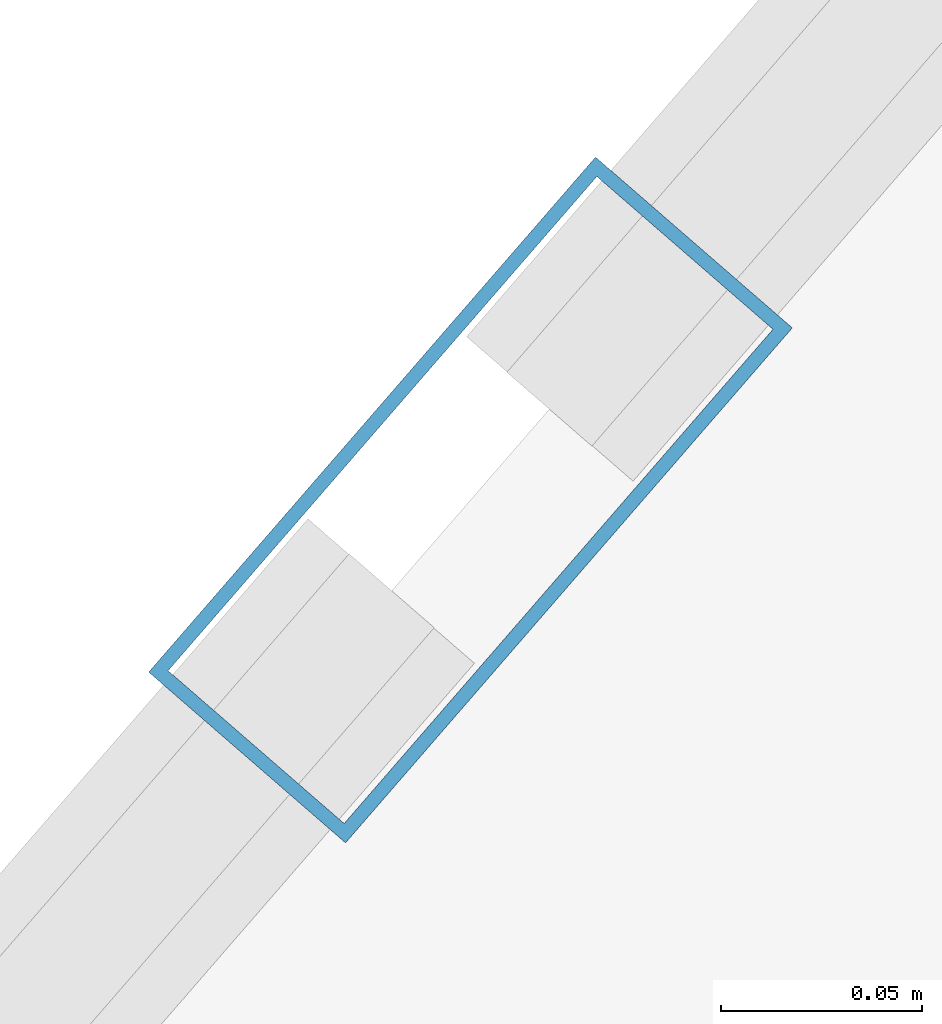
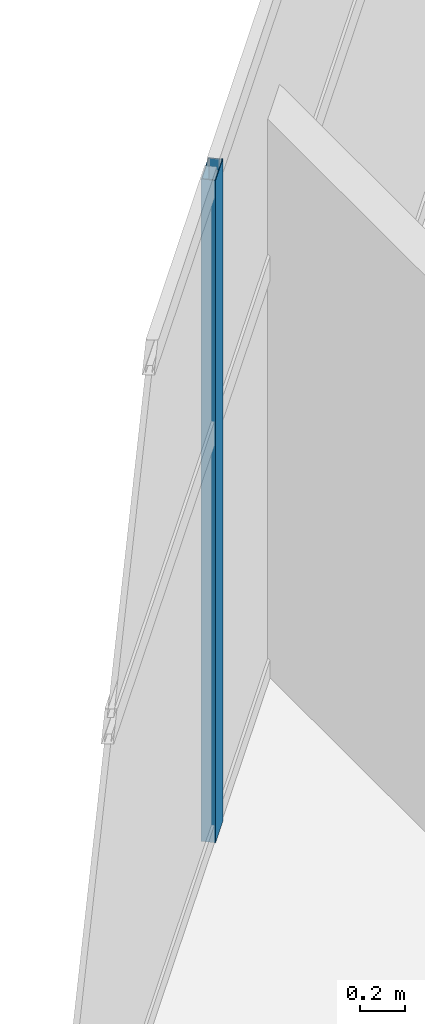
# One storey, part 13 of 29: 1 member, 1 element without a shape of its own.
"""IFC4 building model written with IfcOpenShell, lengths in metres."""

from ifc_helpers import new_model, si_unit, direction, frame, origin, origin_2d, place, context, subcontext, project, spatial, hollow_rectangle, extrude, material, layer, layer_set, material_profile, profile_set, type_object, element, aggregate, save


model = new_model("IFC4")

# Units and contexts
model_context = context("Model", 3, precision=1e-05, world=origin(), true_north=direction((0.0, 1.0)))
body_context = subcontext(model_context, "Body", "Model", "MODEL_VIEW")
ifc_project = project(units=[si_unit("LENGTHUNIT", "METRE"), si_unit("AREAUNIT", "SQUARE_METRE"), si_unit("VOLUMEUNIT", "CUBIC_METRE"), si_unit("PLANEANGLEUNIT", "RADIAN"), si_unit("MASSUNIT", "GRAM", prefix="KILO")], contexts=[model_context])

# Site, building, storey
site_placement = place(None, origin())
site = spatial("IfcSite", under=ifc_project, at=site_placement, CompositionType="ELEMENT")
building_placement = place(site_placement, origin())
building = spatial("IfcBuilding", under=site, at=building_placement, Name="Calvorn Quay Hotel", CompositionType="ELEMENT")
storey_placement = place(building_placement, frame((0.0, 0.0, 251.39990234375)))
storey = spatial("IfcBuildingStorey", under=building, at=storey_placement, Name="L62", CompositionType="ELEMENT", Elevation=251.39990234375)

# Curtain wall, member
ifc_material_1 = material(Name="Champagne Bronze Anodised Aluminium and Low-E Glass", Category="aluminium")
ifc_layer = layer(ifc_material_1, 0.219970703125)
ifc_layer_set = layer_set([ifc_layer], Name="CW-SYS-Z4")
curtain_wall_type = type_object("IfcCurtainWallType", Name="CW-SYS-Z4", PredefinedType="NOTDEFINED", material=ifc_layer_set)
curtain_wall_placement = place(storey_placement, origin())
curtain_wall = element("IfcCurtainWall", 1, at=curtain_wall_placement, inside=storey, type_object=curtain_wall_type, Name="Inner Court Curtain Wall L62-NE1", PredefinedType="NOTDEFINED")
ifc_material_2 = material(Name="Champagne Bronze Anodised Aluminium 6063-T6", Category="aluminium")
ifc_material_profile = material_profile(ifc_material_2, hollow_rectangle(XDim=0.06494140625, YDim=0.169921875, WallThickness=0.00341796875, at=origin_2d()), Name="ALU-M170x65x3.5")
ifc_profile_set = profile_set([ifc_material_profile], Name="Champagne Bronze Anodised Aluminium 6063-T6")
member_type = type_object("IfcMemberType", Name="CW-SYS-Z4-MUL", PredefinedType="MULLION", material=ifc_profile_set)
member_placement = place(storey_placement, frame((27.5, 31.199951171875, 0.0), z_axis=(0.0, 0.0, 1.0), x_axis=(0.755322467304, -0.655353317216, 0.0)))
member = element("IfcMember", 2, at=member_placement, type_object=member_type, Name="CW-L62-NE1 mullion 2", PredefinedType="MULLION", context=body_context, shape_type="SweptSolid", body=[
    extrude(hollow_rectangle(XDim=0.06494140625, YDim=0.169921875, WallThickness=0.00341796875, at=origin_2d()), origin(), (0.0, 0.0, 1.0), 3.56005859375),
])
aggregate(curtain_wall, [member])

save(model, "model.ifc")
